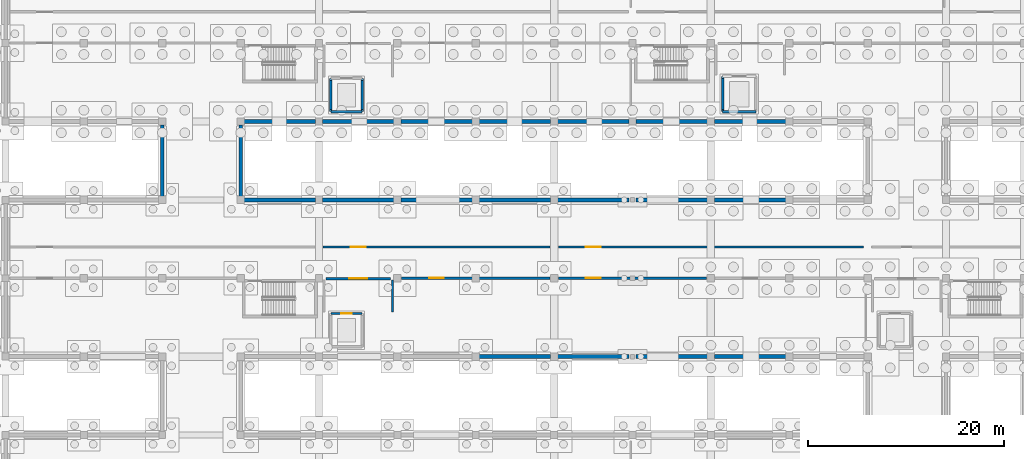
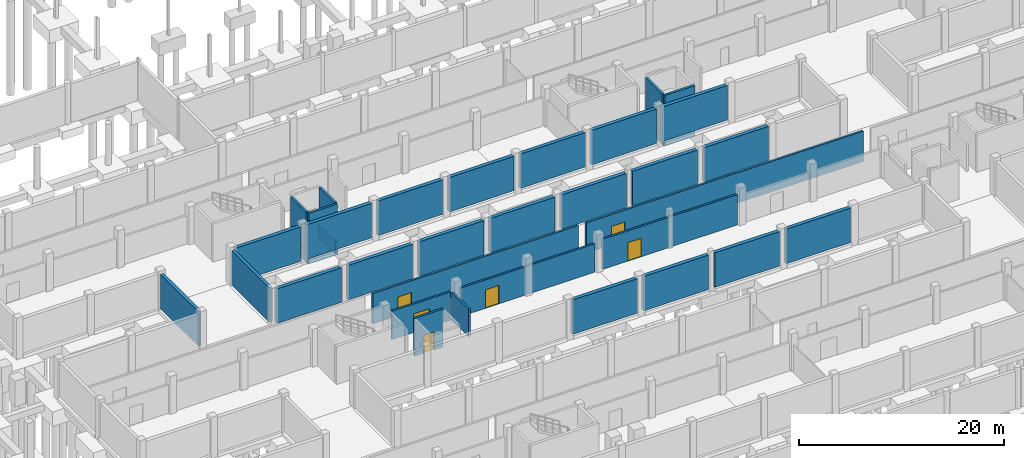
# One storey, part 39 of 51: 37 walls, 6 doors, 6 openings.
"""IFC4 building model written with IfcOpenShell, lengths in metres."""

from ifc_helpers import new_model, si_unit, direction, frame, frame_2d, origin, place, context, subcontext, project, spatial, rectangle, extrude, material, layer, layer_set, type_object, element, fill, save


model = new_model("IFC4")

# Units and contexts
model_context = context("Model", 3, precision=1e-05, world=origin(), true_north=direction((0.0, 1.0)))
body_context = subcontext(model_context, "Body", "Model", "MODEL_VIEW")
ifc_project = project(units=[si_unit("LENGTHUNIT", "METRE"), si_unit("AREAUNIT", "SQUARE_METRE"), si_unit("VOLUMEUNIT", "CUBIC_METRE"), si_unit("PLANEANGLEUNIT", "RADIAN"), si_unit("MASSUNIT", "GRAM", prefix="KILO")], contexts=[model_context])

# Site, building, storey
site_placement = place(None, origin())
site = spatial("IfcSite", under=ifc_project, at=site_placement, CompositionType="ELEMENT")
building_placement = place(site_placement, origin())
building = spatial("IfcBuilding", under=site, at=building_placement, Name="Jelvoka-Kovrelna Polytechnic", CompositionType="ELEMENT")
storey_placement = place(building_placement, frame((0.0, 0.0, -4.5)))
storey = spatial("IfcBuildingStorey", under=building, at=storey_placement, Name="B01", CompositionType="ELEMENT", Elevation=-4.5)

# Wall, opening, door
ifc_material_1 = material(Name="Concrete C35/45", Category="concrete")
ifc_layer_1 = layer(ifc_material_1, 0.219970703125)
ifc_layer_set_1 = layer_set([ifc_layer_1], Name="Concrete C35/45")
wall_type_1 = type_object("IfcWallType", Name="Wall_Compartment_220", PredefinedType="PARTITIONING", material=ifc_layer_set_1)
wall_1_placement = place(storey_placement, frame((88.699951171875, 39.949951171875, 0.0), z_axis=(0.0, 0.0, 1.0), x_axis=(1.0, 0.0, 0.0)))
wall_1 = element("IfcWall", 1, at=wall_1_placement, inside=storey, type_object=wall_type_1, Name="B01 interior wall 0403", PredefinedType="PARTITIONING", context=body_context, shape_type="SweptSolid", body=[
    extrude(rectangle(XDim=6.60009765625, YDim=0.219970703125, at=frame_2d((3.300048828125, 0.0))), origin(), (0.0, 0.0, 1.0), 3.3701171875),
])
opening_1_placement = place(wall_1_placement, frame((2.39990234375, 0.0, 0.0)))
opening_1 = element("IfcOpeningElement", 2, at=opening_1_placement, cuts=wall_1, Name="Opening FD-B01-082", PredefinedType="OPENING", context=body_context, shape_type="SweptSolid", body=[
    extrude(rectangle(XDim=1.800048828125, YDim=2.199951171875, at=frame_2d((0.89990234375, 1.10009765625))), frame((0.0, 0.119873046875, 0.0), z_axis=(0.0, -1.0, 0.0), x_axis=(1.0, 0.0, 0.0)), (0.0, 0.0, 1.0), 0.239990234375),
])
ifc_material_2 = material(Name="Paired steel corridor fire door", Category="steel")
door_type_1 = type_object("IfcDoorType", Name="Door_Fire_FD03", OperationType="NOTDEFINED", PredefinedType="DOOR", material=ifc_material_2)
door_1_placement = place(opening_1_placement, origin())
door_1 = element("IfcDoor", 3, at=door_1_placement, inside=storey, type_object=door_type_1, Name="B01 interior door FD-B01-082", OperationType="DOUBLE_DOOR_SINGLE_SWING", OverallHeight=2.199951171875, OverallWidth=1.800048828125, PredefinedType="DOOR", context=body_context, shape_type="SweptSolid", body=[
    extrude(rectangle(XDim=1.800048828125, YDim=2.199951171875, at=frame_2d((0.89990234375, 1.10009765625))), frame((0.0, 0.02490234375, 0.0), z_axis=(0.0, -1.0, 0.0), x_axis=(1.0, 0.0, 0.0)), (0.0, 0.0, 1.0), 0.050048828125),
])
fill(opening_1, door_1)

# Wall
wall_2_placement = place(storey_placement, frame((95.5, 36.550048828125, 0.0), z_axis=(0.0, 0.0, 1.0), x_axis=(0.0, 1.0, 0.0)))
element("IfcWall", 4, at=wall_2_placement, inside=storey, type_object=wall_type_1, Name="B01 interior wall 0405", PredefinedType="PARTITIONING", context=body_context, shape_type="SweptSolid", body=[
    extrude(rectangle(XDim=3.25, YDim=0.219970703125, at=frame_2d((1.625, 0.0))), origin(), (0.0, 0.0, 1.0), 3.27001953125),
])

# Wall, opening, door
wall_3_placement = place(storey_placement, frame((96.429931640625, 40.0, 0.0), z_axis=(0.0, 0.0, 1.0), x_axis=(1.0, 0.0, 0.0)))
wall_3 = element("IfcWall", 5, at=wall_3_placement, inside=storey, type_object=wall_type_1, Name="B01 interior wall 0818", PredefinedType="PARTITIONING", context=body_context, shape_type="SweptSolid", body=[
    extrude(rectangle(XDim=15.14013671875, YDim=0.219970703125, at=frame_2d((7.570068359375, 0.0))), origin(), (0.0, 0.0, 1.0), 3.3701171875),
])
opening_2_placement = place(wall_3_placement, frame((2.820068359375, 0.0, 0.0)))
opening_2 = element("IfcOpeningElement", 6, at=opening_2_placement, cuts=wall_3, Name="Opening D-B01-131", PredefinedType="OPENING", context=body_context, shape_type="SweptSolid", body=[
    extrude(rectangle(XDim=1.5, YDim=2.199951171875, at=frame_2d((0.75, 1.10009765625))), frame((0.0, 0.119873046875, 0.0), z_axis=(0.0, -1.0, 0.0), x_axis=(1.0, 0.0, 0.0)), (0.0, 0.0, 1.0), 0.239990234375),
])
ifc_material_3 = material(Name="Paired steel stair lobby fire door", Category="steel")
door_type_2 = type_object("IfcDoorType", Name="Door_Fire_FD04", OperationType="NOTDEFINED", PredefinedType="DOOR", material=ifc_material_3)
door_2_placement = place(opening_2_placement, origin())
door_2 = element("IfcDoor", 7, at=door_2_placement, inside=storey, type_object=door_type_2, Name="B01 interior door D-B01-131", OperationType="DOUBLE_DOOR_SINGLE_SWING", OverallHeight=2.199951171875, OverallWidth=1.5, PredefinedType="DOOR", context=body_context, shape_type="SweptSolid", body=[
    extrude(rectangle(XDim=1.5, YDim=2.199951171875, at=frame_2d((0.75, 1.10009765625))), frame((0.0, 0.02490234375, 0.0), z_axis=(0.0, -1.0, 0.0), x_axis=(1.0, 0.0, 0.0)), (0.0, 0.0, 1.0), 0.050048828125),
])
fill(opening_2, door_2)

wall_4_placement = place(storey_placement, frame((88.429931640625, 43.199951171875, 0.0), z_axis=(0.0, 0.0, 1.0), x_axis=(1.0, 0.0, 0.0)))
wall_4 = element("IfcWall", 8, at=wall_4_placement, inside=storey, type_object=wall_type_1, Name="B01 interior wall 0820", PredefinedType="PARTITIONING", context=body_context, shape_type="SweptSolid", body=[
    extrude(rectangle(XDim=23.14013671875, YDim=0.219970703125, at=frame_2d((11.570068359375, 0.0))), origin(), (0.0, 0.0, 1.0), 3.60009765625),
])
opening_3_placement = place(wall_4_placement, frame((2.820068359375, 0.0, 0.0)))
opening_3 = element("IfcOpeningElement", 9, at=opening_3_placement, cuts=wall_4, Name="Opening D-B01-133", PredefinedType="OPENING", context=body_context, shape_type="SweptSolid", body=[
    extrude(rectangle(XDim=1.5, YDim=2.199951171875, at=frame_2d((0.75, 1.10009765625))), frame((0.0, 0.119873046875, 0.0), z_axis=(0.0, -1.0, 0.0), x_axis=(1.0, 0.0, 0.0)), (0.0, 0.0, 1.0), 0.239990234375),
])
door_3_placement = place(opening_3_placement, origin())
door_3 = element("IfcDoor", 10, at=door_3_placement, inside=storey, type_object=door_type_2, Name="B01 interior door D-B01-133", OperationType="DOUBLE_DOOR_SINGLE_SWING", OverallHeight=2.199951171875, OverallWidth=1.5, PredefinedType="DOOR", context=body_context, shape_type="SweptSolid", body=[
    extrude(rectangle(XDim=1.5, YDim=2.199951171875, at=frame_2d((0.75, 1.10009765625))), frame((0.0, 0.02490234375, 0.0), z_axis=(0.0, -1.0, 0.0), x_axis=(1.0, 0.0, 0.0)), (0.0, 0.0, 1.0), 0.050048828125),
])
fill(opening_3, door_3)

wall_5_placement = place(storey_placement, frame((112.429931640625, 40.0, 0.0), z_axis=(0.0, 0.0, 1.0), x_axis=(1.0, 0.0, 0.0)))
wall_5 = element("IfcWall", 11, at=wall_5_placement, inside=storey, type_object=wall_type_1, Name="B01 interior wall 0821", PredefinedType="PARTITIONING", context=body_context, shape_type="SweptSolid", body=[
    extrude(rectangle(XDim=15.14013671875, YDim=0.219970703125, at=frame_2d((7.570068359375, 0.0))), origin(), (0.0, 0.0, 1.0), 3.60009765625),
])
opening_4_placement = place(wall_5_placement, frame((2.820068359375, 0.0, 0.0)))
opening_4 = element("IfcOpeningElement", 12, at=opening_4_placement, cuts=wall_5, Name="Opening D-B01-134", PredefinedType="OPENING", context=body_context, shape_type="SweptSolid", body=[
    extrude(rectangle(XDim=1.5, YDim=2.199951171875, at=frame_2d((0.75, 1.10009765625))), frame((0.0, 0.119873046875, 0.0), z_axis=(0.0, -1.0, 0.0), x_axis=(1.0, 0.0, 0.0)), (0.0, 0.0, 1.0), 0.239990234375),
])
door_4_placement = place(opening_4_placement, origin())
door_4 = element("IfcDoor", 13, at=door_4_placement, inside=storey, type_object=door_type_2, Name="B01 interior door D-B01-134", OperationType="DOUBLE_DOOR_SINGLE_SWING", OverallHeight=2.199951171875, OverallWidth=1.5, PredefinedType="DOOR", context=body_context, shape_type="SweptSolid", body=[
    extrude(rectangle(XDim=1.5, YDim=2.199951171875, at=frame_2d((0.75, 1.10009765625))), frame((0.0, 0.02490234375, 0.0), z_axis=(0.0, -1.0, 0.0), x_axis=(1.0, 0.0, 0.0)), (0.0, 0.0, 1.0), 0.050048828125),
])
fill(opening_4, door_4)

wall_6_placement = place(storey_placement, frame((112.429931640625, 43.199951171875, 0.0), z_axis=(0.0, 0.0, 1.0), x_axis=(1.0, 0.0, 0.0)))
wall_6 = element("IfcWall", 14, at=wall_6_placement, inside=storey, type_object=wall_type_1, Name="B01 interior wall 0827", PredefinedType="PARTITIONING", context=body_context, shape_type="SweptSolid", body=[
    extrude(rectangle(XDim=31.14013671875, YDim=0.219970703125, at=frame_2d((15.570068359375, 0.0))), origin(), (0.0, 0.0, 1.0), 3.60009765625),
])
opening_5_placement = place(wall_6_placement, frame((2.820068359375, 0.0, 0.0)))
opening_5 = element("IfcOpeningElement", 15, at=opening_5_placement, cuts=wall_6, Name="Opening D-B01-138", PredefinedType="OPENING", context=body_context, shape_type="SweptSolid", body=[
    extrude(rectangle(XDim=1.5, YDim=2.199951171875, at=frame_2d((0.75, 1.10009765625))), frame((0.0, 0.119873046875, 0.0), z_axis=(0.0, -1.0, 0.0), x_axis=(1.0, 0.0, 0.0)), (0.0, 0.0, 1.0), 0.239990234375),
])
door_5_placement = place(opening_5_placement, origin())
door_5 = element("IfcDoor", 16, at=door_5_placement, inside=storey, type_object=door_type_2, Name="B01 interior door D-B01-138", OperationType="DOUBLE_DOOR_SINGLE_SWING", OverallHeight=2.199951171875, OverallWidth=1.5, PredefinedType="DOOR", context=body_context, shape_type="SweptSolid", body=[
    extrude(rectangle(XDim=1.5, YDim=2.199951171875, at=frame_2d((0.75, 1.10009765625))), frame((0.0, 0.02490234375, 0.0), z_axis=(0.0, -1.0, 0.0), x_axis=(1.0, 0.0, 0.0)), (0.0, 0.0, 1.0), 0.050048828125),
])
fill(opening_5, door_5)

# Walls
ifc_material_4 = material(Name="Concrete C40/50", Category="concrete")
ifc_layer_2 = layer(ifc_material_4, 0.25)
ifc_layer_set_2 = layer_set([ifc_layer_2], Name="Concrete C40/50")
wall_type_2 = type_object("IfcWallType", Name="Wall_Core_250", PredefinedType="SOLIDWALL", material=ifc_layer_set_2)
wall_7_placement = place(storey_placement, frame((89.199951171875, 57.0, -1.5), z_axis=(0.0, 0.0, 1.0), x_axis=(1.0, 0.0, 0.0)))
element("IfcWall", 17, at=wall_7_placement, inside=storey, type_object=wall_type_2, Name="B01 interior wall 0253", PredefinedType="SOLIDWALL", context=body_context, shape_type="SweptSolid", body=[
    extrude(rectangle(XDim=3.199951171875, YDim=0.25, at=frame_2d((1.60009765625, 0.0))), origin(), (0.0, 0.0, 1.0), 1.5),
])
for number, where, z_axis, x_axis, name in (
    (18, (92.39990234375, 57.0, -1.5), (0.0, 0.0, 1.0), (0.0, 1.0, 0.0), "B01 interior wall 0254"),
    (19, (89.199951171875, 60.39990234375, -1.5), (0.0, 0.0, 1.0), (0.0, -1.0, 0.0), "B01 interior wall 0256"),
):
    element("IfcWall", number, at=place(storey_placement, frame(where, z_axis=z_axis, x_axis=x_axis)), inside=storey, type_object=wall_type_2, Name=name, PredefinedType="SOLIDWALL", context=body_context, shape_type="SweptSolid", body=[
        extrude(rectangle(XDim=3.39990234375, YDim=0.25, at=frame_2d((1.699951171875, 0.0))), origin(), (0.0, 0.0, 1.0), 1.5),
    ])
wall_8_placement = place(storey_placement, frame((89.199951171875, 57.0, 0.0), z_axis=(0.0, 0.0, 1.0), x_axis=(1.0, 0.0, 0.0)))
element("IfcWall", 20, at=wall_8_placement, inside=storey, type_object=wall_type_2, Name="B01 interior wall 0257", PredefinedType="SOLIDWALL", context=body_context, shape_type="SweptSolid", body=[
    extrude(rectangle(XDim=3.199951171875, YDim=0.25, at=frame_2d((1.60009765625, 0.0))), origin(), (0.0, 0.0, 1.0), 4.5),
])
for number, where, z_axis, x_axis, name in (
    (21, (89.199951171875, 57.199951171875, 0.0), (0.0, 0.0, 1.0), (0.0, 1.0, 0.0), "B01 interior wall 0259"),
    (22, (92.39990234375, 57.199951171875, 0.0), (0.0, 0.0, 1.0), (0.0, 1.0, 0.0), "B01 interior wall 0260"),
):
    element("IfcWall", number, at=place(storey_placement, frame(where, z_axis=z_axis, x_axis=x_axis)), inside=storey, type_object=wall_type_2, Name=name, PredefinedType="SOLIDWALL", context=body_context, shape_type="SweptSolid", body=[
        extrude(rectangle(XDim=3.0, YDim=0.25, at=frame_2d((1.5, 0.0))), origin(), (0.0, 0.0, 1.0), 4.5),
    ])

# Wall, opening, door
wall_9_placement = place(storey_placement, frame((89.199951171875, 36.39990234375, 0.0), z_axis=(0.0, 0.0, 1.0), x_axis=(1.0, 0.0, 0.0)))
wall_9 = element("IfcWall", 23, at=wall_9_placement, inside=storey, type_object=wall_type_2, Name="B01 interior wall 0400", PredefinedType="SOLIDWALL", context=body_context, shape_type="SweptSolid", body=[
    extrude(rectangle(XDim=3.199951171875, YDim=0.25, at=frame_2d((1.60009765625, 0.0))), origin(), (0.0, 0.0, 1.0), 4.5),
])
opening_6_placement = place(wall_9_placement, frame((1.050048828125, 0.0, 0.0)))
opening_6 = element("IfcOpeningElement", 24, at=opening_6_placement, cuts=wall_9, Name="Opening LD-B01-19", PredefinedType="OPENING", context=body_context, shape_type="SweptSolid", body=[
    extrude(rectangle(XDim=1.10009765625, YDim=2.14990234375, at=frame_2d((0.550048828125, 1.074951171875))), frame((0.0, 0.135009765625, 0.0), z_axis=(0.0, -1.0, 0.0), x_axis=(1.0, 0.0, 0.0)), (0.0, 0.0, 1.0), 0.27001953125),
])
ifc_material_5 = material(Name="Brushed stainless steel sliding landing door", Category="steel")
door_type_3 = type_object("IfcDoorType", Name="Door_Lift_LD01", OperationType="NOTDEFINED", PredefinedType="DOOR", material=ifc_material_5)
door_6_placement = place(opening_6_placement, origin())
door_6 = element("IfcDoor", 25, at=door_6_placement, inside=storey, type_object=door_type_3, Name="B01 lift landing sliding door LD-B01-19", OperationType="DOUBLE_DOOR_SLIDING", OverallHeight=2.14990234375, OverallWidth=1.10009765625, PredefinedType="DOOR", context=body_context, shape_type="SweptSolid", body=[
    extrude(rectangle(XDim=1.10009765625, YDim=2.14990234375, at=frame_2d((0.550048828125, 1.074951171875))), frame((0.0, 0.02490234375, 0.0), z_axis=(0.0, -1.0, 0.0), x_axis=(1.0, 0.0, 0.0)), (0.0, 0.0, 1.0), 0.050048828125),
])
fill(opening_6, door_6)

# Walls
wall_10_placement = place(storey_placement, frame((129.199951171875, 57.0, -1.5), z_axis=(0.0, 0.0, 1.0), x_axis=(1.0, 0.0, 0.0)))
element("IfcWall", 26, at=wall_10_placement, inside=storey, type_object=wall_type_2, Name="B01 interior wall 0624", PredefinedType="SOLIDWALL", context=body_context, shape_type="SweptSolid", body=[
    extrude(rectangle(XDim=3.400146484375, YDim=0.25, at=frame_2d((1.7001953125, 0.0))), origin(), (0.0, 0.0, 1.0), 1.5),
])
wall_11_placement = place(storey_placement, frame((129.199951171875, 60.60009765625, -1.5), z_axis=(0.0, 0.0, 1.0), x_axis=(0.0, -1.0, 0.0)))
element("IfcWall", 27, at=wall_11_placement, inside=storey, type_object=wall_type_2, Name="B01 interior wall 0627", PredefinedType="SOLIDWALL", context=body_context, shape_type="SweptSolid", body=[
    extrude(rectangle(XDim=3.60009765625, YDim=0.25, at=frame_2d((1.800048828125, 0.0))), origin(), (0.0, 0.0, 1.0), 1.5),
])
wall_12_placement = place(storey_placement, frame((129.199951171875, 57.0, 0.0), z_axis=(0.0, 0.0, 1.0), x_axis=(1.0, 0.0, 0.0)))
element("IfcWall", 28, at=wall_12_placement, inside=storey, type_object=wall_type_2, Name="B01 interior wall 0628", PredefinedType="SOLIDWALL", context=body_context, shape_type="SweptSolid", body=[
    extrude(rectangle(XDim=3.400146484375, YDim=0.25, at=frame_2d((1.7001953125, 0.0))), origin(), (0.0, 0.0, 1.0), 4.5),
])
wall_13_placement = place(storey_placement, frame((129.199951171875, 57.199951171875, 0.0), z_axis=(0.0, 0.0, 1.0), x_axis=(0.0, 1.0, 0.0)))
element("IfcWall", 29, at=wall_13_placement, inside=storey, type_object=wall_type_2, Name="B01 interior wall 0630", PredefinedType="SOLIDWALL", context=body_context, shape_type="SweptSolid", body=[
    extrude(rectangle(XDim=3.199951171875, YDim=0.25, at=frame_2d((1.60009765625, 0.0))), origin(), (0.0, 0.0, 1.0), 4.5),
])
ifc_material_6 = material(Name="Concrete C35/45", Category="concrete")
ifc_layer_3 = layer(ifc_material_6, 0.35009765625)
ifc_layer_set_3 = layer_set([ifc_layer_3], Name="Concrete C35/45")
wall_type_3 = type_object("IfcWallType", Name="Wall_Retaining_350", PredefinedType="USERDEFINED", material=ifc_layer_set_3)
for number, where, z_axis, x_axis, name in (
    (30, (72.0, 48.35009765625, 0.0), (0.0, 0.0, 1.0), (0.0, 1.0, 0.0), "B01 exterior wall 0108"),
    (31, (80.0, 55.64990234375, 0.0), (0.0, 0.0, 1.0), (0.0, -1.0, 0.0), "B01 exterior wall 0110"),
):
    element("IfcWall", number, at=place(storey_placement, frame(where, z_axis=z_axis, x_axis=x_axis)), inside=storey, type_object=wall_type_3, Name=name, ObjectType="RETAININGWALL", PredefinedType="USERDEFINED", context=body_context, shape_type="SweptSolid", body=[
        extrude(rectangle(XDim=7.2998046875, YDim=0.35009765625, at=frame_2d((3.64990234375, 0.0))), origin(), (0.0, 0.0, 1.0), 4.094970703125),
    ])
ifc_material_7 = material(Name="Concrete C35/45", Category="concrete")
ifc_layer_4 = layer(ifc_material_7, 0.39990234375)
ifc_layer_set_4 = layer_set([ifc_layer_4], Name="Concrete C35/45")
wall_type_4 = type_object("IfcWallType", Name="Wall_Retaining_400", PredefinedType="USERDEFINED", material=ifc_layer_set_4)
for number, where, z_axis, x_axis, name in (
    (32, (80.35009765625, 48.0, 0.0), (0.0, 0.0, 1.0), (1.0, 0.0, 0.0), "B01 exterior wall 0042"),
    (33, (88.35009765625, 48.0, 0.0), (0.0, 0.0, 1.0), (1.0, 0.0, 0.0), "B01 exterior wall 0044"),
    (34, (96.35009765625, 48.0, 0.0), (0.0, 0.0, 1.0), (1.0, 0.0, 0.0), "B01 exterior wall 0046"),
    (35, (111.64990234375, 32.0, 0.0), (0.0, 0.0, 1.0), (-1.0, 0.0, 0.0), "B01 exterior wall 0047"),
    (36, (104.35009765625, 48.0, 0.0), (0.0, 0.0, 1.0), (1.0, 0.0, 0.0), "B01 exterior wall 0048"),
    (37, (119.64990234375, 32.0, 0.0), (0.0, 0.0, 1.0), (-1.0, 0.0, 0.0), "B01 exterior wall 0049"),
    (38, (112.35009765625, 48.0, 0.0), (0.0, 0.0, 1.0), (1.0, 0.0, 0.0), "B01 exterior wall 0050"),
    (39, (127.64990234375, 32.0, 0.0), (0.0, 0.0, 1.0), (-1.0, 0.0, 0.0), "B01 exterior wall 0051"),
    (40, (120.35009765625, 48.0, 0.0), (0.0, 0.0, 1.0), (1.0, 0.0, 0.0), "B01 exterior wall 0052"),
    (41, (135.64990234375, 32.0, 0.0), (0.0, 0.0, 1.0), (-1.0, 0.0, 0.0), "B01 exterior wall 0053"),
    (42, (128.35009765625, 48.0, 0.0), (0.0, 0.0, 1.0), (1.0, 0.0, 0.0), "B01 exterior wall 0054"),
    (43, (87.64990234375, 56.0, 0.0), (0.0, 0.0, 1.0), (-1.0, 0.0, 0.0), "B01 exterior wall 0076"),
    (44, (95.64990234375, 56.0, 0.0), (0.0, 0.0, 1.0), (-1.0, 0.0, 0.0), "B01 exterior wall 0078"),
    (45, (103.64990234375, 56.0, 0.0), (0.0, 0.0, 1.0), (-1.0, 0.0, 0.0), "B01 exterior wall 0080"),
    (46, (111.64990234375, 56.0, 0.0), (0.0, 0.0, 1.0), (-1.0, 0.0, 0.0), "B01 exterior wall 0082"),
    (47, (119.64990234375, 56.0, 0.0), (0.0, 0.0, 1.0), (-1.0, 0.0, 0.0), "B01 exterior wall 0084"),
    (48, (127.64990234375, 56.0, 0.0), (0.0, 0.0, 1.0), (-1.0, 0.0, 0.0), "B01 exterior wall 0086"),
    (49, (135.64990234375, 56.0, 0.0), (0.0, 0.0, 1.0), (-1.0, 0.0, 0.0), "B01 exterior wall 0088"),
):
    element("IfcWall", number, at=place(storey_placement, frame(where, z_axis=z_axis, x_axis=x_axis)), inside=storey, type_object=wall_type_4, Name=name, ObjectType="RETAININGWALL", PredefinedType="USERDEFINED", context=body_context, shape_type="SweptSolid", body=[
        extrude(rectangle(XDim=7.2998046875, YDim=0.39990234375, at=frame_2d((3.64990234375, 0.0))), origin(), (0.0, 0.0, 1.0), 4.094970703125),
    ])

save(model, "model.ifc")
